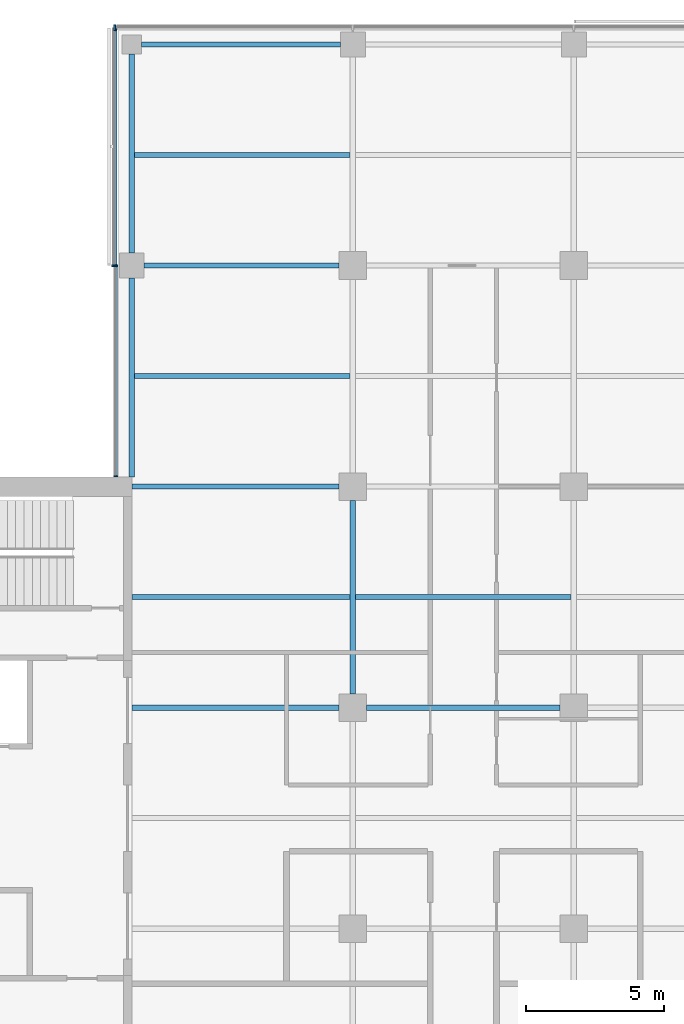
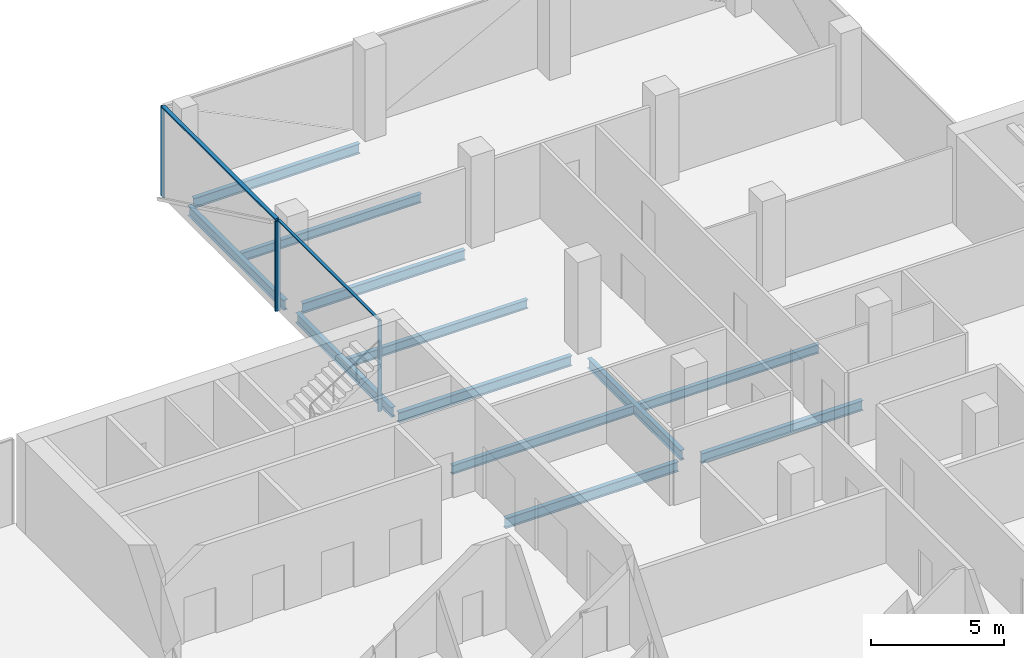
# One storey, part 8 of 22: 12 beams, 6 members, 3 elements without a shape of their own.
"""IFC4 building model written with IfcOpenShell, lengths in metres."""

import ifcopenshell
import ifcopenshell.guid

model = None  # the IFC model being written
_history = None  # IfcOwnerHistory: only IFC2X3 demands one
_inside = {}  # id of a spatial element -> (the spatial element, [elements in it])
_under = {}  # id of a project, library or spatial element -> (it, [spatial elements below it])
_declared = {}  # id of a project -> (the project, [libraries it declares])
_typed = {}  # id of a type object -> (the type object, [elements of that type])
_made_of = {}  # id of a material, layer set ... -> (it, [elements and type objects made of it])


def new_model(schema):
    """Start an empty IFC model of exactly this schema.

    Asked for "IFC4X3", IfcOpenShell would pick the latest addendum, in which some entities
    have other attributes; the version numbers below select the first issue.
    IFC2X3 requires an IfcOwnerHistory on every rooted entity: one is made here for all.
    """
    global model, _history
    if schema == "IFC4X3":
        model = ifcopenshell.file(schema_version=(4, 3, 0, 0))
    else:
        model = ifcopenshell.file(schema=schema)
    _inside.clear()
    _under.clear()
    _declared.clear()
    _typed.clear()
    _made_of.clear()
    _history = None
    if model.schema == "IFC2X3":
        org = make("IfcOrganization", Name="unknown")
        user = make(
            "IfcPersonAndOrganization",
            ThePerson=make("IfcPerson", FamilyName="unknown"),
            TheOrganization=org,
        )
        app = make(
            "IfcApplication",
            ApplicationDeveloper=org,
            Version="unknown",
            ApplicationFullName="unknown",
            ApplicationIdentifier="unknown",
        )
        _history = make(
            "IfcOwnerHistory",
            OwningUser=user,
            OwningApplication=app,
            ChangeAction="ADDED",
            CreationDate=0,
        )
    return model


def make(cls, **values):
    """One entity of the class cls with the attributes given. An attribute that is None is left unset."""
    return model.create_entity(
        cls, **{name: value for name, value in values.items() if value is not None}
    )


def rooted(cls, **values):
    """An entity with a GlobalId (a new one), such as an element, a storey or a relation."""
    return make(cls, GlobalId=ifcopenshell.guid.new(), OwnerHistory=_history, **values)


def si_unit(unit_type, name, prefix=None):
    """IfcSIUnit, for example si_unit("LENGTHUNIT", "METRE", prefix="MILLI")."""
    return make("IfcSIUnit", UnitType=unit_type, Prefix=prefix, Name=name)


def assignment(units):
    """IfcUnitAssignment: the units of a project."""
    return None if units is None else make("IfcUnitAssignment", Units=units)


def point(xyz):
    """IfcCartesianPoint."""
    return None if xyz is None else make("IfcCartesianPoint", Coordinates=xyz)


def direction(xyz):
    """IfcDirection."""
    return None if xyz is None else make("IfcDirection", DirectionRatios=xyz)


def frame(location, z_axis=None, x_axis=None):
    """IfcAxis2Placement3D, a coordinate frame: its origin and axes. An axis left out is left unset."""
    return make(
        "IfcAxis2Placement3D",
        Location=point(location),
        Axis=direction(z_axis),
        RefDirection=direction(x_axis),
    )


def frame_2d(location, x_axis=None):
    """IfcAxis2Placement2D, a coordinate frame in the plane: its origin and x axis."""
    return make(
        "IfcAxis2Placement2D", Location=point(location), RefDirection=direction(x_axis)
    )


def origin():
    """The frame at (0, 0, 0) with its axes left unset."""
    return frame((0.0, 0.0, 0.0))


def origin_2d():
    """The frame at (0, 0) in the plane with its x axis left unset."""
    return frame_2d((0.0, 0.0))


def place(relative_to, where):
    """IfcLocalPlacement: puts the frame where relative to a parent placement (None: the world)."""
    return make(
        "IfcLocalPlacement", PlacementRelTo=relative_to, RelativePlacement=where
    )


def context(
    kind, dimensions, precision=None, world=None, true_north=None, identifier=None
):
    """IfcGeometricRepresentationContext, for example the 3D "Model" context."""
    return make(
        "IfcGeometricRepresentationContext",
        ContextIdentifier=identifier,
        ContextType=kind,
        CoordinateSpaceDimension=dimensions,
        Precision=precision,
        WorldCoordinateSystem=world,
        TrueNorth=true_north,
    )


def subcontext(parent, identifier, kind, view, scale=None):
    """IfcGeometricRepresentationSubContext, for example "Body" below "Model"."""
    return make(
        "IfcGeometricRepresentationSubContext",
        ContextIdentifier=identifier,
        ContextType=kind,
        ParentContext=parent,
        TargetScale=scale,
        TargetView=view,
    )


def project(units=None, contexts=None):
    """IfcProject with its units and contexts."""
    return rooted(
        "IfcProject",
        Name="project",
        RepresentationContexts=contexts,
        UnitsInContext=assignment(units),
    )


def spatial(cls, under=None, at=None, **own):
    """A site, building, storey or space (cls), placed at a placement, below another one or the project."""
    s = rooted(cls, ObjectPlacement=at, **own)
    if under is not None:
        _under.setdefault(under.id(), (under, []))[1].append(s)
    return s


def profile(cls, at=None, kind="AREA", **sizes):
    """A parametric profile (cls). Its sizes go by their IFC names, for example OverallWidth=200.0."""
    return make(cls, ProfileType=kind, Position=at, **sizes)


def rectangle(**sizes):
    """IfcRectangleProfileDef."""
    return profile("IfcRectangleProfileDef", **sizes)


def i_section(**sizes):
    """IfcIShapeProfileDef."""
    return profile("IfcIShapeProfileDef", **sizes)


def extrude(swept, where, along, depth):
    """IfcExtrudedAreaSolid: the profile swept, set in the frame where, extruded along a direction by depth."""
    return make(
        "IfcExtrudedAreaSolid",
        SweptArea=swept,
        Position=where,
        ExtrudedDirection=direction(along),
        Depth=depth,
    )


def shape(context_of_items, identifier, shape_type, items):
    """IfcShapeRepresentation: the items that make up one representation, for example the "Body"."""
    return make(
        "IfcShapeRepresentation",
        ContextOfItems=context_of_items,
        RepresentationIdentifier=identifier,
        RepresentationType=shape_type,
        Items=items,
    )


def material(Name=None, Category=None):
    """IfcMaterial."""
    return make("IfcMaterial", Name=Name, Category=Category)


def material_profile(
    of_material, cross_section, Name=None, Category=None, Priority=None
):
    """IfcMaterialProfile: a cross section and its material."""
    return make(
        "IfcMaterialProfile",
        Name=Name,
        Material=of_material,
        Profile=cross_section,
        Priority=Priority,
        Category=Category,
    )


def profile_set(profiles, Name=None, composite=None):
    """IfcMaterialProfileSet."""
    return make(
        "IfcMaterialProfileSet",
        Name=Name,
        MaterialProfiles=profiles,
        CompositeProfile=composite,
    )


def made_of(thing, what):
    """Note that an element or type object is made of a material, layer set ...; save() writes the relation."""
    if what is not None:
        _made_of.setdefault(what.id(), (what, []))[1].append(thing)
    return thing


def type_object(cls, material=None, **own):
    """A type object (cls), such as IfcWallType, which elements share."""
    return made_of(rooted(cls, **own), material)


def element(
    cls,
    number,
    at=None,
    inside=None,
    cuts=None,
    type_object=None,
    material=None,
    context=None,
    identifier="Body",
    shape_type=None,
    held_by="IfcProductDefinitionShape",
    body=None,
    shapes=None,
    **own,
):
    """One element of the class cls, such as IfcWall. Its Tag is "e" and its number.

    at: its placement. inside: the storey or other place that contains it. cuts: it is an
    opening in that element (IfcRelVoidsElement). A single representation is given by context,
    identifier, shape_type and body (its items); several are given by shapes. held_by: the class
    of the entity that holds the representations. save() writes the other relations.
    """
    e = rooted(cls, Tag="e%d" % number, ObjectPlacement=at, **own)
    if body is not None:
        shapes = [shape(context, identifier, shape_type, body)]
    if shapes is not None:
        e.Representation = make(held_by, Representations=shapes)
    if inside is not None:
        _inside.setdefault(inside.id(), (inside, []))[1].append(e)
    if cuts is not None:
        rooted(
            "IfcRelVoidsElement", RelatingBuildingElement=cuts, RelatedOpeningElement=e
        )
    if type_object is not None:
        _typed.setdefault(type_object.id(), (type_object, []))[1].append(e)
    return made_of(e, material)


def aggregate(whole, parts):
    """IfcRelAggregates: a whole, such as a stair, and the parts it consists of."""
    return rooted("IfcRelAggregates", RelatingObject=whole, RelatedObjects=parts)


def save(model, path):
    """Write the relations noted so far, then the file.

    IfcRelAggregates (storeys below a building ...), IfcRelContainedInSpatialStructure (elements
    in a storey), IfcRelDefinesByType, IfcRelAssociatesMaterial and IfcRelDeclares: one each for
    every whole, place, type object, material and project.
    """
    for whole, parts in _under.values():
        aggregate(whole, parts)
    for where, things in _inside.values():
        rooted(
            "IfcRelContainedInSpatialStructure",
            RelatedElements=things,
            RelatingStructure=where,
        )
    for kind, things in _typed.values():
        rooted("IfcRelDefinesByType", RelatedObjects=things, RelatingType=kind)
    for what, things in _made_of.values():
        rooted("IfcRelAssociatesMaterial", RelatedObjects=things, RelatingMaterial=what)
    for by, libraries in _declared.values():
        rooted("IfcRelDeclares", RelatingContext=by, RelatedDefinitions=libraries)
    model.write(path)


model = new_model("IFC4")

# Units and contexts
model_context = context("Model", 3, precision=1e-05, world=origin(), true_north=direction((0.0, 1.0)))
body_context = subcontext(model_context, "Body", "Model", "MODEL_VIEW")
ifc_project = project(units=[si_unit("LENGTHUNIT", "METRE"), si_unit("AREAUNIT", "SQUARE_METRE"), si_unit("VOLUMEUNIT", "CUBIC_METRE"), si_unit("PLANEANGLEUNIT", "RADIAN"), si_unit("MASSUNIT", "GRAM", prefix="KILO")], contexts=[model_context])

# Site, building, storey
site_placement = place(None, origin())
site = spatial("IfcSite", under=ifc_project, at=site_placement, CompositionType="ELEMENT")
building_placement = place(site_placement, origin())
building = spatial("IfcBuilding", under=site, at=building_placement, Name="Crosswind Convention Tower", CompositionType="ELEMENT")
storey_placement = place(building_placement, frame((0.0, 0.0, 146.300048828125)))
storey = spatial("IfcBuildingStorey", under=building, at=storey_placement, Name="L30", CompositionType="ELEMENT", Elevation=146.300048828125)

# Beams
ifc_material_1 = material(Name="Steel S355", Category="steel")
ifc_material_profile_1 = material_profile(ifc_material_1, i_section(OverallWidth=0.18994140625, OverallDepth=0.45361328125, WebThickness=0.008544921875, FlangeThickness=0.0126953125, FilletRadius=0.01025390625, at=origin_2d()), Name="UB 457x191x67")
ifc_profile_set_1 = profile_set([ifc_material_profile_1], Name="Steel S355")
beam_type_1 = type_object("IfcBeamType", Name="Edge beam UB 457x191x67", PredefinedType="SPANDREL", material=ifc_profile_set_1)
for number, where, z_axis, x_axis, name in (
    (1, (113.0, 112.35009765625, -0.52685546875), (0.0, 1.0, 0.0), (-1.0, 0.0, 0.0), "B16 L30 edge beam 8"),
    (2, (113.0, 120.449951171875, -0.52685546875), (0.0, 1.0, 0.0), (-1.0, 0.0, 0.0), "B16 L30 edge beam 9"),
    (3, (113.35009765625, 128.0, -0.52685546875), (1.0, 0.0, 0.0), (0.0, 1.0, 0.0), "B16 L30 edge beam 11"),
):
    element("IfcBeam", number, at=place(storey_placement, frame(where, z_axis=z_axis, x_axis=x_axis)), inside=storey, type_object=beam_type_1, Name=name, PredefinedType="SPANDREL", context=body_context, shape_type="SweptSolid", body=[
        extrude(i_section(OverallWidth=0.18994140625, OverallDepth=0.45361328125, WebThickness=0.008544921875, FlangeThickness=0.0126953125, FilletRadius=0.01025390625, at=origin_2d()), origin(), (0.0, 0.0, 1.0), 7.199951171875),
    ])
ifc_material_profile_2 = material_profile(ifc_material_1, i_section(OverallWidth=0.19140625, OverallDepth=0.460205078125, WebThickness=0.010009765625, FlangeThickness=0.01611328125, FilletRadius=0.01025390625, at=origin_2d()), Name="UB 457x191x82")
ifc_profile_set_2 = profile_set([ifc_material_profile_2], Name="Steel S355")
beam_type_2 = type_object("IfcBeamType", Name="Girder UB 457x191x82", PredefinedType="BEAM", material=ifc_profile_set_2)
beam_1_placement = place(storey_placement, frame((113.449951171875, 120.0, -0.530029296875), z_axis=(1.0, 0.0, 0.0), x_axis=(0.0, 1.0, 0.0)))
element("IfcBeam", 4, at=beam_1_placement, inside=storey, type_object=beam_type_2, Name="B3 L30 girder 2", PredefinedType="BEAM", context=body_context, shape_type="SweptSolid", body=[
    extrude(i_section(OverallWidth=0.19140625, OverallDepth=0.460205078125, WebThickness=0.010009765625, FlangeThickness=0.01611328125, FilletRadius=0.01025390625, at=origin_2d()), origin(), (0.0, 0.0, 1.0), 7.050048828125),
])
for number, where, z_axis, x_axis, name in (
    (5, (121.0, 104.5, -0.530029296875), (0.0, 1.0, 0.0), (-1.0, 0.0, 0.0), "B3 L30 girder 7"),
    (6, (121.5, 104.0, -0.530029296875), (1.0, 0.0, 0.0), (0.0, 1.0, 0.0), "B3 L30 girder 13"),
):
    element("IfcBeam", number, at=place(storey_placement, frame(where, z_axis=z_axis, x_axis=x_axis)), inside=storey, type_object=beam_type_2, Name=name, PredefinedType="BEAM", context=body_context, shape_type="SweptSolid", body=[
        extrude(i_section(OverallWidth=0.19140625, OverallDepth=0.460205078125, WebThickness=0.010009765625, FlangeThickness=0.01611328125, FilletRadius=0.01025390625, at=origin_2d()), origin(), (0.0, 0.0, 1.0), 7.0),
    ])
ifc_material_profile_3 = material_profile(ifc_material_1, i_section(OverallWidth=0.19189453125, OverallDepth=0.463623046875, WebThickness=0.010498046875, FlangeThickness=0.017578125, FilletRadius=0.01025390625, at=origin_2d()), Name="UB 457x191x90")
ifc_profile_set_3 = profile_set([ifc_material_profile_3], Name="Steel S355")
beam_type_3 = type_object("IfcBeamType", Name="Girder at core wall UB 457x191x90", PredefinedType="BEAM", material=ifc_profile_set_3)
for number, where, z_axis, x_axis, name in (
    (7, (113.0, 104.0, -0.53173828125), (1.0, 0.0, 0.0), (0.0, 1.0, 0.0), "B24 L30 girder at core wall 5"),
    (8, (113.0, 112.0, -0.53173828125), (1.0, 0.0, 0.0), (0.0, 1.0, 0.0), "B24 L30 girder at core wall 6"),
):
    element("IfcBeam", number, at=place(storey_placement, frame(where, z_axis=z_axis, x_axis=x_axis)), inside=storey, type_object=beam_type_3, Name=name, PredefinedType="BEAM", context=body_context, shape_type="SweptSolid", body=[
        extrude(i_section(OverallWidth=0.19189453125, OverallDepth=0.463623046875, WebThickness=0.010498046875, FlangeThickness=0.017578125, FilletRadius=0.01025390625, at=origin_2d()), origin(), (0.0, 0.0, 1.0), 7.5),
    ])

# Curtain wall, members
ifc_material_2 = material(Name="Aluminium unitised curtain wall", Category="aluminium")
curtain_wall_type_1 = type_object("IfcCurtainWallType", Name="CORE END SLOT WALL 160", PredefinedType="USERDEFINED", material=ifc_material_2)
curtain_wall_1_placement = place(storey_placement, origin())
curtain_wall_1 = element("IfcCurtainWall", 9, at=curtain_wall_1_placement, inside=storey, type_object=curtain_wall_type_1, Name="CW6 L30 N-W.1-2 slot", ObjectType="UNITISED", PredefinedType="USERDEFINED")
ifc_material_3 = material(Name="Aluminium mullion", Category="aluminium")
ifc_material_profile_4 = material_profile(ifc_material_3, rectangle(XDim=0.159912109375, YDim=0.050048828125, at=origin_2d()), Name="AL 160X50")
ifc_profile_set_4 = profile_set([ifc_material_profile_4], Name="Aluminium mullion")
member_type_1 = type_object("IfcMemberType", Name="MULLION 50X160", PredefinedType="MULLION", material=ifc_profile_set_4)
member_1_placement = place(storey_placement, frame((112.419921875, 119.97509765625, -0.300048828125), z_axis=(0.0, 0.0, 1.0), x_axis=(-1.0, 0.0, 0.0)))
member_1 = element("IfcMember", 10, at=member_1_placement, type_object=member_type_1, Name="CW6 mullion 1", PredefinedType="MULLION", context=body_context, shape_type="SweptSolid", body=[
    extrude(rectangle(XDim=0.159912109375, YDim=0.050048828125, at=origin_2d()), origin(), (0.0, 0.0, 1.0), 4.14990234375),
])
member_2_placement = place(storey_placement, frame((112.419921875, 112.375, -0.300048828125), z_axis=(0.0, 0.0, 1.0), x_axis=(-1.0, 0.0, 0.0)))
member_2 = element("IfcMember", 11, at=member_2_placement, type_object=member_type_1, Name="CW6 mullion 2", PredefinedType="MULLION", context=body_context, shape_type="SweptSolid", body=[
    extrude(rectangle(XDim=0.159912109375, YDim=0.050048828125, at=origin_2d()), origin(), (0.0, 0.0, 1.0), 4.14990234375),
])

# Curtain wall, member
curtain_wall_type_2 = type_object("IfcCurtainWallType", Name="OFFICE UNITISED WALL 220", PredefinedType="USERDEFINED", material=ifc_material_2)
curtain_wall_2_placement = place(storey_placement, origin())
curtain_wall_2 = element("IfcCurtainWall", 12, at=curtain_wall_2_placement, inside=storey, type_object=curtain_wall_type_2, Name="CW3 L30 N-TIP 1", ObjectType="UNITISED", PredefinedType="USERDEFINED")
ifc_material_profile_5 = material_profile(ifc_material_3, rectangle(XDim=0.219970703125, YDim=0.070068359375, at=origin_2d()), Name="AL 220X70")
ifc_profile_set_5 = profile_set([ifc_material_profile_5], Name="Aluminium mullion")
member_type_2 = type_object("IfcMemberType", Name="MULLION 70X220", PredefinedType="MULLION", material=ifc_profile_set_5)
member_3_placement = place(storey_placement, frame((112.389892578125, 128.610107421875, -0.300048828125), z_axis=(0.0, 0.0, 1.0), x_axis=(0.0, 1.0, 0.0)))
member_3 = element("IfcMember", 13, at=member_3_placement, type_object=member_type_2, Name="CW3 mullion 4", PredefinedType="MULLION", context=body_context, shape_type="SweptSolid", body=[
    extrude(rectangle(XDim=0.219970703125, YDim=0.070068359375, at=origin_2d()), origin(), (0.0, 0.0, 1.0), 4.1298828125),
])
aggregate(curtain_wall_2, [member_3])

curtain_wall_3_placement = place(storey_placement, origin())
curtain_wall_3 = element("IfcCurtainWall", 14, at=curtain_wall_3_placement, inside=storey, type_object=curtain_wall_type_2, Name="CW3 L30 N-W 1", ObjectType="UNITISED", PredefinedType="USERDEFINED")
member_4_placement = place(storey_placement, frame((112.389892578125, 120.0, -0.300048828125), z_axis=(0.0, 0.0, 1.0), x_axis=(-1.0, 0.0, 0.0)))
member_4 = element("IfcMember", 15, at=member_4_placement, type_object=member_type_2, Name="CW3 mullion 2", PredefinedType="MULLION", context=body_context, shape_type="SweptSolid", body=[
    extrude(rectangle(XDim=0.219970703125, YDim=0.070068359375, at=origin_2d()), origin(), (0.0, 0.0, 1.0), 4.1298828125),
])

# Beams
ifc_material_profile_6 = material_profile(ifc_material_1, i_section(OverallWidth=0.177734375, OverallDepth=0.406494140625, WebThickness=0.0078125, FlangeThickness=0.0126953125, FilletRadius=0.01025390625, at=origin_2d()), Name="UB 406x178x60")
ifc_profile_set_6 = profile_set([ifc_material_profile_6], Name="Steel S355")
beam_type_4 = type_object("IfcBeamType", Name="Secondary beam UB 406x178x60", PredefinedType="JOIST", material=ifc_profile_set_6)
beam_2_placement = place(storey_placement, frame((113.0, 108.0, -0.503173828125), z_axis=(1.0, 0.0, 0.0), x_axis=(0.0, 1.0, 0.0)))
element("IfcBeam", 16, at=beam_2_placement, inside=storey, type_object=beam_type_4, Name="B10 L30 secondary beam 6", PredefinedType="JOIST", context=body_context, shape_type="SweptSolid", body=[
    extrude(i_section(OverallWidth=0.177734375, OverallDepth=0.406494140625, WebThickness=0.0078125, FlangeThickness=0.0126953125, FilletRadius=0.01025390625, at=origin_2d()), origin(), (0.0, 0.0, 1.0), 7.904296875),
])
for number, where, z_axis, x_axis, name in (
    (17, (113.094970703125, 116.0, -0.503173828125), (1.0, 0.0, 0.0), (0.0, 1.0, 0.0), "B10 L30 secondary beam 9"),
    (18, (113.094970703125, 124.0, -0.503173828125), (1.0, 0.0, 0.0), (0.0, 1.0, 0.0), "B10 L30 secondary beam 10"),
):
    element("IfcBeam", number, at=place(storey_placement, frame(where, z_axis=z_axis, x_axis=x_axis)), inside=storey, type_object=beam_type_4, Name=name, PredefinedType="JOIST", context=body_context, shape_type="SweptSolid", body=[
        extrude(i_section(OverallWidth=0.177734375, OverallDepth=0.406494140625, WebThickness=0.0078125, FlangeThickness=0.0126953125, FilletRadius=0.01025390625, at=origin_2d()), origin(), (0.0, 0.0, 1.0), 7.809326171875),
    ])
beam_3_placement = place(storey_placement, frame((121.095703125, 108.0, -0.503173828125), z_axis=(1.0, 0.0, 0.0), x_axis=(0.0, 1.0, 0.0)))
element("IfcBeam", 19, at=beam_3_placement, inside=storey, type_object=beam_type_4, Name="B10 L30 secondary beam 15", PredefinedType="JOIST", context=body_context, shape_type="SweptSolid", body=[
    extrude(i_section(OverallWidth=0.177734375, OverallDepth=0.406494140625, WebThickness=0.0078125, FlangeThickness=0.0126953125, FilletRadius=0.01025390625, at=origin_2d()), origin(), (0.0, 0.0, 1.0), 7.80859375),
])

# Member
ifc_material_4 = material(Name="Aluminium transom", Category="aluminium")
ifc_material_profile_7 = material_profile(ifc_material_4, rectangle(XDim=0.1201171875, YDim=0.050048828125, at=origin_2d()), Name="AL 120X50")
ifc_profile_set_7 = profile_set([ifc_material_profile_7], Name="Aluminium transom")
member_type_3 = type_object("IfcMemberType", Name="TRANSOM 50X120", PredefinedType="USERDEFINED", material=ifc_profile_set_7)
member_5_placement = place(storey_placement, frame((112.419921875, 119.949951171875, 3.875), z_axis=(0.0, -1.0, 0.0), x_axis=(1.0, 0.0, 0.0)))
member_5 = element("IfcMember", 20, at=member_5_placement, type_object=member_type_3, Name="CW6 transom", ObjectType="TRANSOM", PredefinedType="USERDEFINED", context=body_context, shape_type="SweptSolid", body=[
    extrude(rectangle(XDim=0.1201171875, YDim=0.050048828125, at=origin_2d()), origin(), (0.0, 0.0, 1.0), 7.550048828125),
])

aggregate(curtain_wall_1, [member_1, member_2, member_5])

ifc_material_profile_8 = material_profile(ifc_material_4, rectangle(XDim=0.159912109375, YDim=0.070068359375, at=origin_2d()), Name="AL 160X70")
ifc_profile_set_8 = profile_set([ifc_material_profile_8], Name="Aluminium transom")
member_type_4 = type_object("IfcMemberType", Name="TRANSOM 70X160", PredefinedType="USERDEFINED", material=ifc_profile_set_8)
member_6_placement = place(storey_placement, frame((112.389892578125, 128.574951171875, 3.864990234375), z_axis=(0.0, -1.0, 0.0), x_axis=(1.0, 0.0, 0.0)))
member_6 = element("IfcMember", 21, at=member_6_placement, type_object=member_type_4, Name="CW3 transom", ObjectType="TRANSOM", PredefinedType="USERDEFINED", context=body_context, shape_type="SweptSolid", body=[
    extrude(rectangle(XDim=0.159912109375, YDim=0.070068359375, at=origin_2d()), origin(), (0.0, 0.0, 1.0), 8.5400390625),
])

aggregate(curtain_wall_3, [member_4, member_6])

save(model, "model.ifc")
